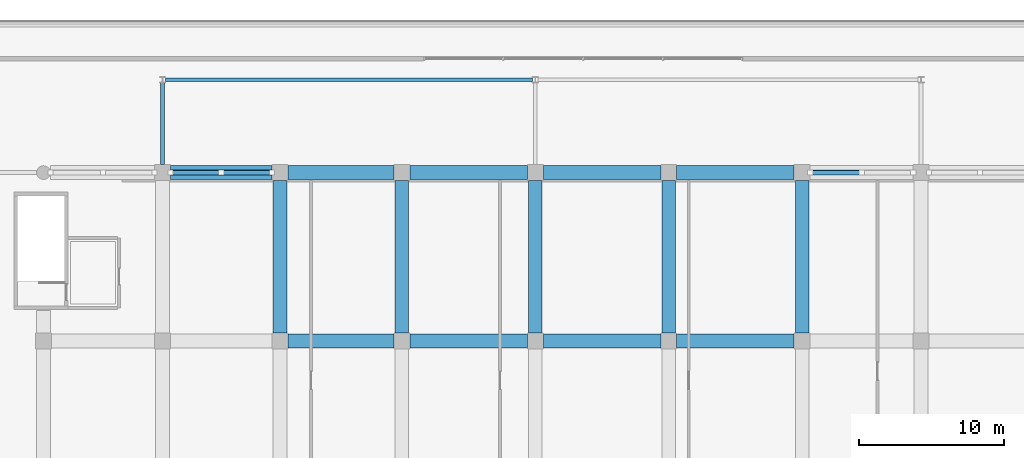
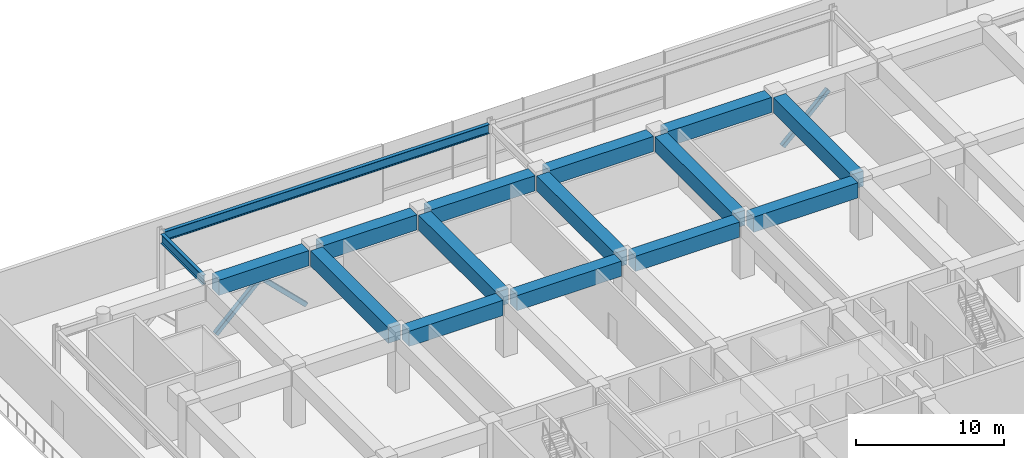
# One storey, part 13 of 38: 16 beams, 3 members.
"""IFC4 building model written with IfcOpenShell, lengths in metres."""

import ifcopenshell
import ifcopenshell.guid

model = None  # the IFC model being written
_history = None  # IfcOwnerHistory: only IFC2X3 demands one
_inside = {}  # id of a spatial element -> (the spatial element, [elements in it])
_under = {}  # id of a project, library or spatial element -> (it, [spatial elements below it])
_declared = {}  # id of a project -> (the project, [libraries it declares])
_typed = {}  # id of a type object -> (the type object, [elements of that type])
_made_of = {}  # id of a material, layer set ... -> (it, [elements and type objects made of it])


def new_model(schema):
    """Start an empty IFC model of exactly this schema.

    Asked for "IFC4X3", IfcOpenShell would pick the latest addendum, in which some entities
    have other attributes; the version numbers below select the first issue.
    IFC2X3 requires an IfcOwnerHistory on every rooted entity: one is made here for all.
    """
    global model, _history
    if schema == "IFC4X3":
        model = ifcopenshell.file(schema_version=(4, 3, 0, 0))
    else:
        model = ifcopenshell.file(schema=schema)
    _inside.clear()
    _under.clear()
    _declared.clear()
    _typed.clear()
    _made_of.clear()
    _history = None
    if model.schema == "IFC2X3":
        org = make("IfcOrganization", Name="unknown")
        user = make(
            "IfcPersonAndOrganization",
            ThePerson=make("IfcPerson", FamilyName="unknown"),
            TheOrganization=org,
        )
        app = make(
            "IfcApplication",
            ApplicationDeveloper=org,
            Version="unknown",
            ApplicationFullName="unknown",
            ApplicationIdentifier="unknown",
        )
        _history = make(
            "IfcOwnerHistory",
            OwningUser=user,
            OwningApplication=app,
            ChangeAction="ADDED",
            CreationDate=0,
        )
    return model


def make(cls, **values):
    """One entity of the class cls with the attributes given. An attribute that is None is left unset."""
    return model.create_entity(
        cls, **{name: value for name, value in values.items() if value is not None}
    )


def rooted(cls, **values):
    """An entity with a GlobalId (a new one), such as an element, a storey or a relation."""
    return make(cls, GlobalId=ifcopenshell.guid.new(), OwnerHistory=_history, **values)


def si_unit(unit_type, name, prefix=None):
    """IfcSIUnit, for example si_unit("LENGTHUNIT", "METRE", prefix="MILLI")."""
    return make("IfcSIUnit", UnitType=unit_type, Prefix=prefix, Name=name)


def assignment(units):
    """IfcUnitAssignment: the units of a project."""
    return None if units is None else make("IfcUnitAssignment", Units=units)


def point(xyz):
    """IfcCartesianPoint."""
    return None if xyz is None else make("IfcCartesianPoint", Coordinates=xyz)


def direction(xyz):
    """IfcDirection."""
    return None if xyz is None else make("IfcDirection", DirectionRatios=xyz)


def frame(location, z_axis=None, x_axis=None):
    """IfcAxis2Placement3D, a coordinate frame: its origin and axes. An axis left out is left unset."""
    return make(
        "IfcAxis2Placement3D",
        Location=point(location),
        Axis=direction(z_axis),
        RefDirection=direction(x_axis),
    )


def frame_2d(location, x_axis=None):
    """IfcAxis2Placement2D, a coordinate frame in the plane: its origin and x axis."""
    return make(
        "IfcAxis2Placement2D", Location=point(location), RefDirection=direction(x_axis)
    )


def origin():
    """The frame at (0, 0, 0) with its axes left unset."""
    return frame((0.0, 0.0, 0.0))


def origin_2d():
    """The frame at (0, 0) in the plane with its x axis left unset."""
    return frame_2d((0.0, 0.0))


def place(relative_to, where):
    """IfcLocalPlacement: puts the frame where relative to a parent placement (None: the world)."""
    return make(
        "IfcLocalPlacement", PlacementRelTo=relative_to, RelativePlacement=where
    )


def context(
    kind, dimensions, precision=None, world=None, true_north=None, identifier=None
):
    """IfcGeometricRepresentationContext, for example the 3D "Model" context."""
    return make(
        "IfcGeometricRepresentationContext",
        ContextIdentifier=identifier,
        ContextType=kind,
        CoordinateSpaceDimension=dimensions,
        Precision=precision,
        WorldCoordinateSystem=world,
        TrueNorth=true_north,
    )


def subcontext(parent, identifier, kind, view, scale=None):
    """IfcGeometricRepresentationSubContext, for example "Body" below "Model"."""
    return make(
        "IfcGeometricRepresentationSubContext",
        ContextIdentifier=identifier,
        ContextType=kind,
        ParentContext=parent,
        TargetScale=scale,
        TargetView=view,
    )


def project(units=None, contexts=None):
    """IfcProject with its units and contexts."""
    return rooted(
        "IfcProject",
        Name="project",
        RepresentationContexts=contexts,
        UnitsInContext=assignment(units),
    )


def spatial(cls, under=None, at=None, **own):
    """A site, building, storey or space (cls), placed at a placement, below another one or the project."""
    s = rooted(cls, ObjectPlacement=at, **own)
    if under is not None:
        _under.setdefault(under.id(), (under, []))[1].append(s)
    return s


def profile(cls, at=None, kind="AREA", **sizes):
    """A parametric profile (cls). Its sizes go by their IFC names, for example OverallWidth=200.0."""
    return make(cls, ProfileType=kind, Position=at, **sizes)


def rectangle(**sizes):
    """IfcRectangleProfileDef."""
    return profile("IfcRectangleProfileDef", **sizes)


def hollow_rectangle(**sizes):
    """IfcRectangleHollowProfileDef."""
    return profile("IfcRectangleHollowProfileDef", **sizes)


def i_section(**sizes):
    """IfcIShapeProfileDef."""
    return profile("IfcIShapeProfileDef", **sizes)


def extrude(swept, where, along, depth):
    """IfcExtrudedAreaSolid: the profile swept, set in the frame where, extruded along a direction by depth."""
    return make(
        "IfcExtrudedAreaSolid",
        SweptArea=swept,
        Position=where,
        ExtrudedDirection=direction(along),
        Depth=depth,
    )


def shape(context_of_items, identifier, shape_type, items):
    """IfcShapeRepresentation: the items that make up one representation, for example the "Body"."""
    return make(
        "IfcShapeRepresentation",
        ContextOfItems=context_of_items,
        RepresentationIdentifier=identifier,
        RepresentationType=shape_type,
        Items=items,
    )


def material(Name=None, Category=None):
    """IfcMaterial."""
    return make("IfcMaterial", Name=Name, Category=Category)


def material_profile(
    of_material, cross_section, Name=None, Category=None, Priority=None
):
    """IfcMaterialProfile: a cross section and its material."""
    return make(
        "IfcMaterialProfile",
        Name=Name,
        Material=of_material,
        Profile=cross_section,
        Priority=Priority,
        Category=Category,
    )


def profile_set(profiles, Name=None, composite=None):
    """IfcMaterialProfileSet."""
    return make(
        "IfcMaterialProfileSet",
        Name=Name,
        MaterialProfiles=profiles,
        CompositeProfile=composite,
    )


def made_of(thing, what):
    """Note that an element or type object is made of a material, layer set ...; save() writes the relation."""
    if what is not None:
        _made_of.setdefault(what.id(), (what, []))[1].append(thing)
    return thing


def type_object(cls, material=None, **own):
    """A type object (cls), such as IfcWallType, which elements share."""
    return made_of(rooted(cls, **own), material)


def element(
    cls,
    number,
    at=None,
    inside=None,
    cuts=None,
    type_object=None,
    material=None,
    context=None,
    identifier="Body",
    shape_type=None,
    held_by="IfcProductDefinitionShape",
    body=None,
    shapes=None,
    **own,
):
    """One element of the class cls, such as IfcWall. Its Tag is "e" and its number.

    at: its placement. inside: the storey or other place that contains it. cuts: it is an
    opening in that element (IfcRelVoidsElement). A single representation is given by context,
    identifier, shape_type and body (its items); several are given by shapes. held_by: the class
    of the entity that holds the representations. save() writes the other relations.
    """
    e = rooted(cls, Tag="e%d" % number, ObjectPlacement=at, **own)
    if body is not None:
        shapes = [shape(context, identifier, shape_type, body)]
    if shapes is not None:
        e.Representation = make(held_by, Representations=shapes)
    if inside is not None:
        _inside.setdefault(inside.id(), (inside, []))[1].append(e)
    if cuts is not None:
        rooted(
            "IfcRelVoidsElement", RelatingBuildingElement=cuts, RelatedOpeningElement=e
        )
    if type_object is not None:
        _typed.setdefault(type_object.id(), (type_object, []))[1].append(e)
    return made_of(e, material)


def aggregate(whole, parts):
    """IfcRelAggregates: a whole, such as a stair, and the parts it consists of."""
    return rooted("IfcRelAggregates", RelatingObject=whole, RelatedObjects=parts)


def save(model, path):
    """Write the relations noted so far, then the file.

    IfcRelAggregates (storeys below a building ...), IfcRelContainedInSpatialStructure (elements
    in a storey), IfcRelDefinesByType, IfcRelAssociatesMaterial and IfcRelDeclares: one each for
    every whole, place, type object, material and project.
    """
    for whole, parts in _under.values():
        aggregate(whole, parts)
    for where, things in _inside.values():
        rooted(
            "IfcRelContainedInSpatialStructure",
            RelatedElements=things,
            RelatingStructure=where,
        )
    for kind, things in _typed.values():
        rooted("IfcRelDefinesByType", RelatedObjects=things, RelatingType=kind)
    for what, things in _made_of.values():
        rooted("IfcRelAssociatesMaterial", RelatedObjects=things, RelatingMaterial=what)
    for by, libraries in _declared.values():
        rooted("IfcRelDeclares", RelatingContext=by, RelatedDefinitions=libraries)
    model.write(path)


model = new_model("IFC4")

# Units and contexts
model_context = context("Model", 3, precision=1e-05, world=origin(), true_north=direction((0.0, 1.0)))
body_context = subcontext(model_context, "Body", "Model", "MODEL_VIEW")
ifc_project = project(units=[si_unit("LENGTHUNIT", "METRE"), si_unit("AREAUNIT", "SQUARE_METRE"), si_unit("VOLUMEUNIT", "CUBIC_METRE"), si_unit("PLANEANGLEUNIT", "RADIAN"), si_unit("MASSUNIT", "GRAM", prefix="KILO")], contexts=[model_context])

# Site, building, storey
site_placement = place(None, origin())
site = spatial("IfcSite", under=ifc_project, at=site_placement, CompositionType="ELEMENT")
building_placement = place(site_placement, origin())
building = spatial("IfcBuilding", under=site, at=building_placement, Name="Korimba Cascade Residences", CompositionType="ELEMENT")
storey_placement = place(building_placement, frame((0.0, 0.0, 19.0)))
storey = spatial("IfcBuildingStorey", under=building, at=storey_placement, Name="L04", CompositionType="ELEMENT", Elevation=19.0)

# Beams
ifc_material_1 = material(Name="Steel S355", Category="steel")
ifc_material_profile_1 = material_profile(ifc_material_1, i_section(OverallWidth=0.26806640625, OverallDepth=0.769775390625, WebThickness=0.015625, FlangeThickness=0.025390625, FilletRadius=0.0166015625, at=origin_2d()), Name="Steel S355")
ifc_profile_set_1 = profile_set([ifc_material_profile_1], Name="Steel S355")
beam_type_1 = type_object("IfcBeamType", Name="BM-STL-UB762", PredefinedType="BEAM", material=ifc_profile_set_1)
beam_1_placement = place(storey_placement, frame((68.0, 91.75, 4.295166015625), z_axis=(0.0, 1.0, 0.0), x_axis=(-1.0, 0.0, 0.0)))
element("IfcBeam", 1, at=beam_1_placement, inside=storey, type_object=beam_type_1, Name="L04 Podium Frame Girder N1", PredefinedType="BEAM", context=body_context, shape_type="SweptSolid", body=[
    extrude(i_section(OverallWidth=0.26806640625, OverallDepth=0.769775390625, WebThickness=0.015625, FlangeThickness=0.025390625, FilletRadius=0.0166015625, at=origin_2d()), origin(), (0.0, 0.0, 1.0), 5.6533203125),
])
beam_2_placement = place(storey_placement, frame((68.199462890625, 97.60009765625, 4.295166015625), z_axis=(1.0, 0.0, 0.0), x_axis=(0.0, 1.0, 0.0)))
element("IfcBeam", 2, at=beam_2_placement, inside=storey, type_object=beam_type_1, Name="L04 Podium Frame Girder NH1", PredefinedType="BEAM", context=body_context, shape_type="SweptSolid", body=[
    extrude(i_section(OverallWidth=0.26806640625, OverallDepth=0.769775390625, WebThickness=0.015625, FlangeThickness=0.025390625, FilletRadius=0.0166015625, at=origin_2d()), origin(), (0.0, 0.0, 1.0), 25.301025390625),
])
ifc_material_2 = material(Name="Concrete C65/80", Category="concrete")
ifc_material_profile_2 = material_profile(ifc_material_2, rectangle(XDim=0.949951171875, YDim=1.25, at=origin_2d()), Name="Concrete C65/80")
ifc_profile_set_2 = profile_set([ifc_material_profile_2], Name="Concrete C65/80")
beam_type_2 = type_object("IfcBeamType", Name="BM-TRF-1250", PredefinedType="T_BEAM", material=ifc_profile_set_2)
beam_3_placement = place(storey_placement, frame((76.64990234375, 79.60009765625, 4.054931640625), z_axis=(1.0, 0.0, 0.0), x_axis=(0.0, 1.0, 0.0)))
element("IfcBeam", 3, at=beam_3_placement, inside=storey, type_object=beam_type_2, Name="L04 T1 E-W Girder Y3 Bay 3", PredefinedType="T_BEAM", context=body_context, shape_type="SweptSolid", body=[
    extrude(rectangle(XDim=0.949951171875, YDim=1.25, at=origin_2d()), origin(), (0.0, 0.0, 1.0), 7.300048828125),
])
beam_4_placement = place(storey_placement, frame((85.050048828125, 79.60009765625, 4.054931640625), z_axis=(1.0, 0.0, 0.0), x_axis=(0.0, 1.0, 0.0)))
element("IfcBeam", 4, at=beam_4_placement, inside=storey, type_object=beam_type_2, Name="L04 T1 E-W Girder Y3 Bay 4", PredefinedType="T_BEAM", context=body_context, shape_type="SweptSolid", body=[
    extrude(rectangle(XDim=0.949951171875, YDim=1.25, at=origin_2d()), origin(), (0.0, 0.0, 1.0), 8.099853515625),
])
for number, where, z_axis, x_axis, name in (
    (5, (94.25, 79.60009765625, 4.054931640625), (1.0, 0.0, 0.0), (0.0, 1.0, 0.0), "L04 T1 E-W Girder Y3 Bay 5"),
    (6, (103.449951171875, 79.60009765625, 4.054931640625), (1.0, 0.0, 0.0), (0.0, 1.0, 0.0), "L04 T1 E-W Girder Y3 Bay 6"),
):
    element("IfcBeam", number, at=place(storey_placement, frame(where, z_axis=z_axis, x_axis=x_axis)), inside=storey, type_object=beam_type_2, Name=name, PredefinedType="T_BEAM", context=body_context, shape_type="SweptSolid", body=[
        extrude(rectangle(XDim=0.949951171875, YDim=1.25, at=origin_2d()), origin(), (0.0, 0.0, 1.0), 8.10009765625),
    ])
beam_5_placement = place(storey_placement, frame((68.550048828125, 91.199951171875, 4.054931640625), z_axis=(1.0, 0.0, 0.0), x_axis=(0.0, 1.0, 0.0)))
element("IfcBeam", 7, at=beam_5_placement, inside=storey, type_object=beam_type_2, Name="L04 T1 E-W Girder Y4 Bay 2", PredefinedType="T_BEAM", context=body_context, shape_type="SweptSolid", body=[
    extrude(rectangle(XDim=0.949951171875, YDim=1.25, at=origin_2d()), origin(), (0.0, 0.0, 1.0), 7.0),
])
beam_6_placement = place(storey_placement, frame((76.64990234375, 91.199951171875, 4.054931640625), z_axis=(1.0, 0.0, 0.0), x_axis=(0.0, 1.0, 0.0)))
element("IfcBeam", 8, at=beam_6_placement, inside=storey, type_object=beam_type_2, Name="L04 T1 E-W Girder Y4 Bay 3", PredefinedType="T_BEAM", context=body_context, shape_type="SweptSolid", body=[
    extrude(rectangle(XDim=0.949951171875, YDim=1.25, at=origin_2d()), origin(), (0.0, 0.0, 1.0), 7.300048828125),
])
beam_7_placement = place(storey_placement, frame((85.050048828125, 91.199951171875, 4.054931640625), z_axis=(1.0, 0.0, 0.0), x_axis=(0.0, 1.0, 0.0)))
element("IfcBeam", 9, at=beam_7_placement, inside=storey, type_object=beam_type_2, Name="L04 T1 E-W Girder Y4 Bay 4", PredefinedType="T_BEAM", context=body_context, shape_type="SweptSolid", body=[
    extrude(rectangle(XDim=0.949951171875, YDim=1.25, at=origin_2d()), origin(), (0.0, 0.0, 1.0), 8.099853515625),
])
for number, where, z_axis, x_axis, name in (
    (10, (94.25, 91.199951171875, 4.054931640625), (1.0, 0.0, 0.0), (0.0, 1.0, 0.0), "L04 T1 E-W Girder Y4 Bay 5"),
    (11, (103.449951171875, 91.199951171875, 4.054931640625), (1.0, 0.0, 0.0), (0.0, 1.0, 0.0), "L04 T1 E-W Girder Y4 Bay 6"),
):
    element("IfcBeam", number, at=place(storey_placement, frame(where, z_axis=z_axis, x_axis=x_axis)), inside=storey, type_object=beam_type_2, Name=name, PredefinedType="T_BEAM", context=body_context, shape_type="SweptSolid", body=[
        extrude(rectangle(XDim=0.949951171875, YDim=1.25, at=origin_2d()), origin(), (0.0, 0.0, 1.0), 8.10009765625),
    ])
for number, where, z_axis, x_axis, name in (
    (12, (76.10009765625, 80.14990234375, 4.054931640625), (0.0, 1.0, 0.0), (-1.0, 0.0, 0.0), "L04 T1 N-S Girder X3 Seg 3"),
    (13, (84.5, 80.14990234375, 4.054931640625), (0.0, 1.0, 0.0), (-1.0, 0.0, 0.0), "L04 T1 N-S Girder X4 Seg 3"),
    (14, (93.699951171875, 80.14990234375, 4.054931640625), (0.0, 1.0, 0.0), (-1.0, 0.0, 0.0), "L04 T1 N-S Girder X5 Seg 3"),
    (15, (102.89990234375, 80.14990234375, 4.054931640625), (0.0, 1.0, 0.0), (-1.0, 0.0, 0.0), "L04 T1 N-S Girder X6 Seg 3"),
    (16, (112.10009765625, 80.14990234375, 4.054931640625), (0.0, 1.0, 0.0), (-1.0, 0.0, 0.0), "L04 T1 N-S Girder X7 Seg 3"),
):
    element("IfcBeam", number, at=place(storey_placement, frame(where, z_axis=z_axis, x_axis=x_axis)), inside=storey, type_object=beam_type_2, Name=name, PredefinedType="T_BEAM", context=body_context, shape_type="SweptSolid", body=[
        extrude(rectangle(XDim=0.949951171875, YDim=1.25, at=origin_2d()), origin(), (0.0, 0.0, 1.0), 10.5),
    ])

# Members
ifc_material_3 = material(Name="Steel S460", Category="steel")
ifc_material_profile_3 = material_profile(ifc_material_3, hollow_rectangle(XDim=0.35009765625, YDim=0.35009765625, WallThickness=0.01611328125, InnerFilletRadius=0.01611328125, OuterFilletRadius=0.031982421875, at=origin_2d()), Name="Steel S460")
ifc_profile_set_3 = profile_set([ifc_material_profile_3], Name="Steel S460")
member_type = type_object("IfcMemberType", Name="MEM-BLT-SHS350", PredefinedType="BRACE", material=ifc_profile_set_3)
for number, where, z_axis, x_axis, name in (
    (17, (68.550048828125, 91.199951171875, 0.0), (0.714219812487, 0.0, 0.699921466631), (0.0, 1.0, 0.0), "L04 Transfer Chevron Brace N2A"),
    (18, (75.550048828125, 91.199951171875, 0.0), (-0.714219812487, 0.0, 0.699921466631), (0.0, -1.0, 0.0), "L04 Transfer Chevron Brace N2B"),
):
    element("IfcMember", number, at=place(storey_placement, frame(where, z_axis=z_axis, x_axis=x_axis)), inside=storey, type_object=member_type, Name=name, PredefinedType="BRACE", context=body_context, shape_type="SweptSolid", body=[
        extrude(hollow_rectangle(XDim=0.35009765625, YDim=0.35009765625, WallThickness=0.01611328125, InnerFilletRadius=0.01611328125, OuterFilletRadius=0.031982421875, at=origin_2d()), origin(), (0.0, 0.0, 1.0), 4.900390625),
    ])
member_placement = place(storey_placement, frame((112.64990234375, 91.199951171875, 0.0), z_axis=(0.719168769834, 0.0, 0.69483543411), x_axis=(0.0, 1.0, 0.0)))
element("IfcMember", 19, at=member_placement, inside=storey, type_object=member_type, Name="L04 Transfer Chevron Brace N7A", PredefinedType="BRACE", context=body_context, shape_type="SweptSolid", body=[
    extrude(hollow_rectangle(XDim=0.35009765625, YDim=0.35009765625, WallThickness=0.01611328125, InnerFilletRadius=0.01611328125, OuterFilletRadius=0.031982421875, at=origin_2d()), origin(), (0.0, 0.0, 1.0), 4.936279296875),
])

save(model, "model.ifc")
